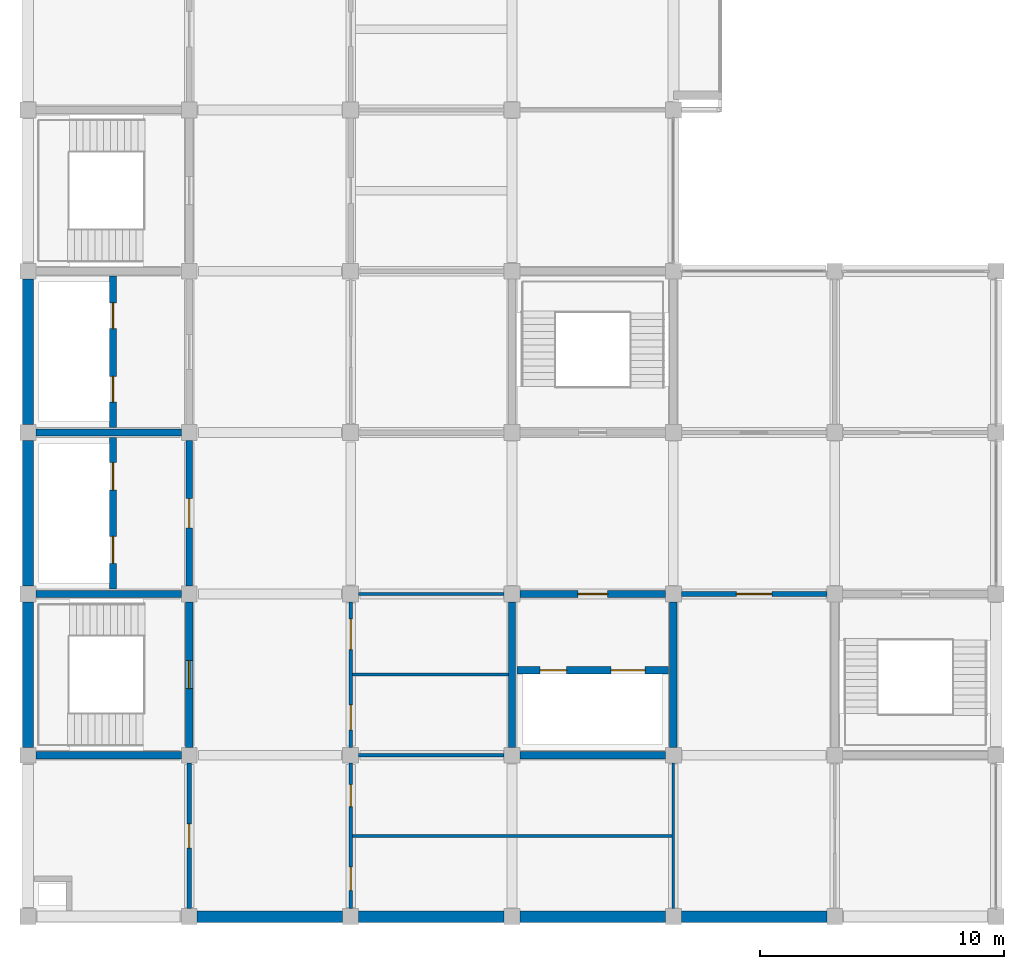
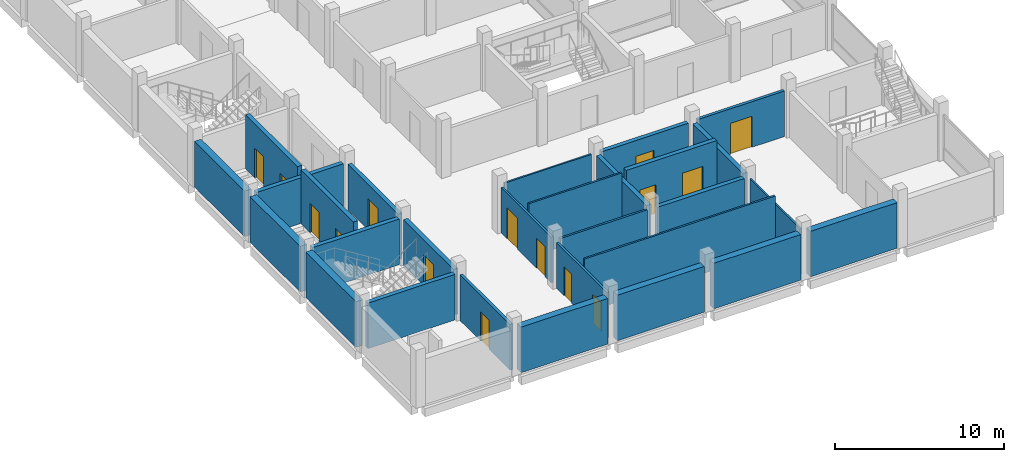
# One storey, part 7 of 10: 28 walls, 15 doors, 15 openings.
"""IFC4 building model written with IfcOpenShell, lengths in metres."""

from ifc_helpers import new_model, si_unit, direction, frame, frame_2d, origin, place, context, subcontext, project, spatial, rectangle, extrude, material, layer, layer_set, type_object, element, fill, save


model = new_model("IFC4")

# Units and contexts
model_context = context("Model", 3, precision=1e-05, world=origin(), true_north=direction((0.0, 1.0)))
body_context = subcontext(model_context, "Body", "Model", "MODEL_VIEW")
ifc_project = project(units=[si_unit("LENGTHUNIT", "METRE"), si_unit("AREAUNIT", "SQUARE_METRE"), si_unit("VOLUMEUNIT", "CUBIC_METRE"), si_unit("PLANEANGLEUNIT", "RADIAN"), si_unit("MASSUNIT", "GRAM", prefix="KILO")], contexts=[model_context])

# Site, building, storey
site_placement = place(None, origin())
site = spatial("IfcSite", under=ifc_project, at=site_placement, CompositionType="ELEMENT")
building_placement = place(site_placement, origin())
building = spatial("IfcBuilding", under=site, at=building_placement, Name="Rusizi Kubbe Research Institute", CompositionType="ELEMENT")
storey_placement = place(building_placement, frame((0.0, 0.0, 52.199951171875)))
storey = spatial("IfcBuildingStorey", under=building, at=storey_placement, Name="L12", CompositionType="ELEMENT", Elevation=52.199951171875)

# Walls
ifc_material_1 = material(Name="Concrete C40/50", Category="concrete")
ifc_layer_1 = layer(ifc_material_1, 0.294921875)
ifc_layer_set_1 = layer_set([ifc_layer_1], Name="Concrete C40/50")
wall_type_1 = type_object("IfcWallType", Name="CRW-03", PredefinedType="SHEAR", material=ifc_layer_set_1)
for number, where, z_axis, x_axis, name in (
    (1, (0.324951171875, 6.60009765625, 0.0), (0.0, 0.0, 1.0), (1.0, 0.0, 0.0), "Stair Core Shear Wall ST1 L12 S"),
    (2, (0.324951171875, 13.199951171875, 0.0), (0.0, 0.0, 1.0), (1.0, 0.0, 0.0), "Stair Core Shear Wall ST1 L12 N"),
):
    element("IfcWall", number, at=place(storey_placement, frame(where, z_axis=z_axis, x_axis=x_axis)), inside=storey, type_object=wall_type_1, Name=name, PredefinedType="SHEAR", context=body_context, shape_type="SweptSolid", body=[
        extrude(rectangle(XDim=5.949951171875, YDim=0.294921875, at=frame_2d((2.97509765625, 0.0))), origin(), (0.0, 0.0, 1.0), 3.300048828125),
    ])

# Wall, opening, door
wall_1_placement = place(storey_placement, frame((6.60009765625, 6.925048828125, 0.0), z_axis=(0.0, 0.0, 1.0), x_axis=(0.0, 1.0, 0.0)))
wall_1 = element("IfcWall", 3, at=wall_1_placement, inside=storey, type_object=wall_type_1, Name="Stair Core Shear Wall ST1 L12 E", PredefinedType="SHEAR", context=body_context, shape_type="SweptSolid", body=[
    extrude(rectangle(XDim=5.949951171875, YDim=0.294921875, at=frame_2d((2.97509765625, 0.0))), origin(), (0.0, 0.0, 1.0), 3.300048828125),
])
opening_1_placement = place(wall_1_placement, frame((2.39990234375, 0.0, 0.0)))
opening_1 = element("IfcOpeningElement", 4, at=opening_1_placement, cuts=wall_1, Name="Opening D-02", PredefinedType="OPENING", context=body_context, shape_type="SweptSolid", body=[
    extrude(rectangle(XDim=1.14990234375, YDim=2.199951171875, at=frame_2d((0.574951171875, 1.10009765625))), frame((0.0, 0.157470703125, 0.0), z_axis=(0.0, -1.0, 0.0), x_axis=(1.0, 0.0, 0.0)), (0.0, 0.0, 1.0), 0.31494140625),
])
ifc_material_2 = material(Name="Fire-Rated Steel Frame and Acoustic Timber Leaf", Category="wood")
door_type_1 = type_object("IfcDoorType", Name="ID-STAIR-115", OperationType="NOTDEFINED", PredefinedType="DOOR", material=ifc_material_2)
door_1_placement = place(opening_1_placement, origin())
door_1 = element("IfcDoor", 5, at=door_1_placement, inside=storey, type_object=door_type_1, Name="Exit Stair Door ST1 L12", OperationType="SINGLE_SWING_RIGHT", OverallHeight=2.199951171875, OverallWidth=1.14990234375, PredefinedType="DOOR", context=body_context, shape_type="SweptSolid", body=[
    extrude(rectangle(XDim=1.14990234375, YDim=2.199951171875, at=frame_2d((0.574951171875, 1.10009765625))), frame((0.0, 0.02490234375, 0.0), z_axis=(0.0, -1.0, 0.0), x_axis=(1.0, 0.0, 0.0)), (0.0, 0.0, 1.0), 0.050048828125),
])
fill(opening_1, door_1)

# Walls
for number, where, z_axis, x_axis, name in (
    (6, (0.324951171875, 19.800048828125, 0.0), (0.0, 0.0, 1.0), (1.0, 0.0, 0.0), "Lift Core Divider Wall (0,2-3) L12"),
    (7, (20.125, 6.60009765625, 0.0), (0.0, 0.0, 1.0), (1.0, 0.0, 0.0), "Lab Lift Core Wall S (3,1) L12"),
    (8, (19.800048828125, 6.925048828125, 0.0), (0.0, 0.0, 1.0), (0.0, 1.0, 0.0), "Lab Lift Core Wall W (3,1) L12"),
    (9, (26.39990234375, 6.925048828125, 0.0), (0.0, 0.0, 1.0), (0.0, 1.0, 0.0), "Lab Lift Core Wall E (3,1) L12"),
):
    element("IfcWall", number, at=place(storey_placement, frame(where, z_axis=z_axis, x_axis=x_axis)), inside=storey, type_object=wall_type_1, Name=name, PredefinedType="SHEAR", context=body_context, shape_type="SweptSolid", body=[
        extrude(rectangle(XDim=5.949951171875, YDim=0.294921875, at=frame_2d((2.97509765625, 0.0))), origin(), (0.0, 0.0, 1.0), 3.300048828125),
    ])

# Wall, openings, doors
wall_2_placement = place(storey_placement, frame((3.47998046875, 13.39990234375, 0.0), z_axis=(0.0, 0.0, 1.0), x_axis=(0.0, 1.0, 0.0)))
wall_2 = element("IfcWall", 10, at=wall_2_placement, inside=storey, type_object=wall_type_1, Name="Firefighting Lift Shaft Front Wall L12", PredefinedType="SHEAR", context=body_context, shape_type="SweptSolid", body=[
    extrude(rectangle(XDim=6.2001953125, YDim=0.294921875, at=frame_2d((3.10009765625, 0.0))), origin(), (0.0, 0.0, 1.0), 3.900146484375),
])
opening_2_placement = place(wall_2_placement, frame((1.050048828125, 0.0, 0.0)))
opening_2 = element("IfcOpeningElement", 11, at=opening_2_placement, cuts=wall_2, Name="Opening LD-01", PredefinedType="OPENING", context=body_context, shape_type="SweptSolid", body=[
    extrude(rectangle(XDim=1.10009765625, YDim=2.14990234375, at=frame_2d((0.550048828125, 1.074951171875))), frame((0.0, 0.157470703125, 0.0), z_axis=(0.0, -1.0, 0.0), x_axis=(1.0, 0.0, 0.0)), (0.0, 0.0, 1.0), 0.31494140625),
])
opening_3_placement = place(wall_2_placement, frame((4.050048828125, 0.0, 0.0)))
opening_3 = element("IfcOpeningElement", 12, at=opening_3_placement, cuts=wall_2, Name="Opening LD-02", PredefinedType="OPENING", context=body_context, shape_type="SweptSolid", body=[
    extrude(rectangle(XDim=1.1201171875, YDim=2.14990234375, at=frame_2d((0.56005859375, 1.074951171875))), frame((0.0, 0.157470703125, 0.0), z_axis=(0.0, -1.0, 0.0), x_axis=(1.0, 0.0, 0.0)), (0.0, 0.0, 1.0), 0.31494140625),
])
ifc_material_3 = material(Name="Brushed Stainless Steel Sliding Door", Category="steel")
door_type_2 = type_object("IfcDoorType", Name="LD-01", OperationType="DOUBLE_DOOR_SLIDING", PredefinedType="USERDEFINED", material=ifc_material_3)
door_2_placement = place(opening_2_placement, origin())
door_2 = element("IfcDoor", 13, at=door_2_placement, inside=storey, type_object=door_type_2, Name="Lift Landing Sliding Door FL1 L12", ObjectType="SLIDING DOOR", OperationType="DOUBLE_DOOR_SLIDING", OverallHeight=2.14990234375, OverallWidth=1.10009765625, PredefinedType="USERDEFINED", context=body_context, shape_type="SweptSolid", body=[
    extrude(rectangle(XDim=1.10009765625, YDim=2.14990234375, at=frame_2d((0.550048828125, 1.074951171875))), frame((0.0, 0.02490234375, 0.0), z_axis=(0.0, -1.0, 0.0), x_axis=(1.0, 0.0, 0.0)), (0.0, 0.0, 1.0), 0.050048828125),
])
fill(opening_2, door_2)
ifc_material_4 = material(Name="Brushed Stainless Steel Sliding Door", Category="steel")
door_type_3 = type_object("IfcDoorType", Name="LD-02", OperationType="DOUBLE_DOOR_SLIDING", PredefinedType="USERDEFINED", material=ifc_material_4)
door_3_placement = place(opening_3_placement, origin())
door_3 = element("IfcDoor", 14, at=door_3_placement, inside=storey, type_object=door_type_3, Name="Lift Landing Sliding Door FL2 L12", ObjectType="SLIDING DOOR", OperationType="DOUBLE_DOOR_SLIDING", OverallHeight=2.14990234375, OverallWidth=1.1201171875, PredefinedType="USERDEFINED", context=body_context, shape_type="SweptSolid", body=[
    extrude(rectangle(XDim=1.1201171875, YDim=2.14990234375, at=frame_2d((0.56005859375, 1.074951171875))), frame((0.0, 0.02490234375, 0.0), z_axis=(0.0, -1.0, 0.0), x_axis=(1.0, 0.0, 0.0)), (0.0, 0.0, 1.0), 0.050048828125),
])
fill(opening_3, door_3)

wall_3_placement = place(storey_placement, frame((3.47998046875, 20.0, 0.0), z_axis=(0.0, 0.0, 1.0), x_axis=(0.0, 1.0, 0.0)))
wall_3 = element("IfcWall", 15, at=wall_3_placement, inside=storey, type_object=wall_type_1, Name="Passenger Lift Shaft Front Wall L12", PredefinedType="SHEAR", context=body_context, shape_type="SweptSolid", body=[
    extrude(rectangle(XDim=6.199951171875, YDim=0.294921875, at=frame_2d((3.10009765625, 0.0))), origin(), (0.0, 0.0, 1.0), 3.900146484375),
])
opening_4_placement = place(wall_3_placement, frame((1.050048828125, 0.0, 0.0)))
opening_4 = element("IfcOpeningElement", 16, at=opening_4_placement, cuts=wall_3, Name="Opening LD-03", PredefinedType="OPENING", context=body_context, shape_type="SweptSolid", body=[
    extrude(rectangle(XDim=1.050048828125, YDim=2.14990234375, at=frame_2d((0.52490234375, 1.074951171875))), frame((0.0, 0.157470703125, 0.0), z_axis=(0.0, -1.0, 0.0), x_axis=(1.0, 0.0, 0.0)), (0.0, 0.0, 1.0), 0.31494140625),
])
opening_5_placement = place(wall_3_placement, frame((4.050048828125, 0.0, 0.0)))
opening_5 = element("IfcOpeningElement", 17, at=opening_5_placement, cuts=wall_3, Name="Opening LD-04", PredefinedType="OPENING", context=body_context, shape_type="SweptSolid", body=[
    extrude(rectangle(XDim=1.06005859375, YDim=2.14990234375, at=frame_2d((0.530029296875, 1.074951171875))), frame((0.0, 0.157470703125, 0.0), z_axis=(0.0, -1.0, 0.0), x_axis=(1.0, 0.0, 0.0)), (0.0, 0.0, 1.0), 0.31494140625),
])
ifc_material_5 = material(Name="Brushed Stainless Steel Sliding Door", Category="steel")
door_type_4 = type_object("IfcDoorType", Name="LD-03", OperationType="DOUBLE_DOOR_SLIDING", PredefinedType="USERDEFINED", material=ifc_material_5)
door_4_placement = place(opening_4_placement, origin())
door_4 = element("IfcDoor", 18, at=door_4_placement, inside=storey, type_object=door_type_4, Name="Lift Landing Sliding Door LP1 L12", ObjectType="SLIDING DOOR", OperationType="DOUBLE_DOOR_SLIDING", OverallHeight=2.14990234375, OverallWidth=1.050048828125, PredefinedType="USERDEFINED", context=body_context, shape_type="SweptSolid", body=[
    extrude(rectangle(XDim=1.050048828125, YDim=2.14990234375, at=frame_2d((0.52490234375, 1.074951171875))), frame((0.0, 0.02490234375, 0.0), z_axis=(0.0, -1.0, 0.0), x_axis=(1.0, 0.0, 0.0)), (0.0, 0.0, 1.0), 0.050048828125),
])
fill(opening_4, door_4)
ifc_material_6 = material(Name="Brushed Stainless Steel Sliding Door", Category="steel")
door_type_5 = type_object("IfcDoorType", Name="LD-04", OperationType="DOUBLE_DOOR_SLIDING", PredefinedType="USERDEFINED", material=ifc_material_6)
door_5_placement = place(opening_5_placement, origin())
door_5 = element("IfcDoor", 19, at=door_5_placement, inside=storey, type_object=door_type_5, Name="Lift Landing Sliding Door LP2 L12", ObjectType="SLIDING DOOR", OperationType="DOUBLE_DOOR_SLIDING", OverallHeight=2.14990234375, OverallWidth=1.06005859375, PredefinedType="USERDEFINED", context=body_context, shape_type="SweptSolid", body=[
    extrude(rectangle(XDim=1.06005859375, YDim=2.14990234375, at=frame_2d((0.530029296875, 1.074951171875))), frame((0.0, 0.02490234375, 0.0), z_axis=(0.0, -1.0, 0.0), x_axis=(1.0, 0.0, 0.0)), (0.0, 0.0, 1.0), 0.050048828125),
])
fill(opening_5, door_5)

wall_4_placement = place(storey_placement, frame((20.0, 10.080078125, 0.0), z_axis=(0.0, 0.0, 1.0), x_axis=(1.0, 0.0, 0.0)))
wall_4 = element("IfcWall", 20, at=wall_4_placement, inside=storey, type_object=wall_type_1, Name="Goods Lift Shaft Front Wall L12", PredefinedType="SHEAR", context=body_context, shape_type="SweptSolid", body=[
    extrude(rectangle(XDim=6.199951171875, YDim=0.294921875, at=frame_2d((3.10009765625, 0.0))), origin(), (0.0, 0.0, 1.0), 3.900146484375),
])
opening_6_placement = place(wall_4_placement, frame((0.949951171875, 0.0, 0.0)))
opening_6 = element("IfcOpeningElement", 21, at=opening_6_placement, cuts=wall_4, Name="Opening LD-05", PredefinedType="OPENING", context=body_context, shape_type="SweptSolid", body=[
    extrude(rectangle(XDim=1.080078125, YDim=2.14990234375, at=frame_2d((0.5400390625, 1.074951171875))), frame((0.0, 0.157470703125, 0.0), z_axis=(0.0, -1.0, 0.0), x_axis=(1.0, 0.0, 0.0)), (0.0, 0.0, 1.0), 0.31494140625),
])
opening_7_placement = place(wall_4_placement, frame((3.85009765625, 0.0, 0.0)))
opening_7 = element("IfcOpeningElement", 22, at=opening_7_placement, cuts=wall_4, Name="Opening LD-06", PredefinedType="OPENING", context=body_context, shape_type="SweptSolid", body=[
    extrude(rectangle(XDim=1.39990234375, YDim=2.35009765625, at=frame_2d((0.699951171875, 1.175048828125))), frame((0.0, 0.157470703125, 0.0), z_axis=(0.0, -1.0, 0.0), x_axis=(1.0, 0.0, 0.0)), (0.0, 0.0, 1.0), 0.31494140625),
])
ifc_material_7 = material(Name="Brushed Stainless Steel Sliding Door", Category="steel")
door_type_6 = type_object("IfcDoorType", Name="LD-05", OperationType="DOUBLE_DOOR_SLIDING", PredefinedType="USERDEFINED", material=ifc_material_7)
door_6_placement = place(opening_6_placement, origin())
door_6 = element("IfcDoor", 23, at=door_6_placement, inside=storey, type_object=door_type_6, Name="Lift Landing Sliding Door LP3 L12", ObjectType="SLIDING DOOR", OperationType="DOUBLE_DOOR_SLIDING", OverallHeight=2.14990234375, OverallWidth=1.080078125, PredefinedType="USERDEFINED", context=body_context, shape_type="SweptSolid", body=[
    extrude(rectangle(XDim=1.080078125, YDim=2.14990234375, at=frame_2d((0.5400390625, 1.074951171875))), frame((0.0, 0.02490234375, 0.0), z_axis=(0.0, -1.0, 0.0), x_axis=(1.0, 0.0, 0.0)), (0.0, 0.0, 1.0), 0.050048828125),
])
fill(opening_6, door_6)
ifc_material_8 = material(Name="Brushed Stainless Steel Sliding Door", Category="steel")
door_type_7 = type_object("IfcDoorType", Name="LD-06", OperationType="DOUBLE_DOOR_SLIDING", PredefinedType="USERDEFINED", material=ifc_material_8)
door_7_placement = place(opening_7_placement, origin())
door_7 = element("IfcDoor", 24, at=door_7_placement, inside=storey, type_object=door_type_7, Name="Lift Landing Sliding Door LG1 L12", ObjectType="SLIDING DOOR", OperationType="DOUBLE_DOOR_SLIDING", OverallHeight=2.35009765625, OverallWidth=1.39990234375, PredefinedType="USERDEFINED", context=body_context, shape_type="SweptSolid", body=[
    extrude(rectangle(XDim=1.39990234375, YDim=2.35009765625, at=frame_2d((0.699951171875, 1.175048828125))), frame((0.0, 0.02490234375, 0.0), z_axis=(0.0, -1.0, 0.0), x_axis=(1.0, 0.0, 0.0)), (0.0, 0.0, 1.0), 0.050048828125),
])
fill(opening_7, door_7)

# Wall, opening, door
ifc_material_9 = material(Name="Insulated Cleanroom Partition", Category="masonry")
ifc_layer_2 = layer(ifc_material_9, 0.195068359375)
ifc_layer_set_2 = layer_set([ifc_layer_2], Name="Insulated Cleanroom Partition")
wall_type_2 = type_object("IfcWallType", Name="IW-02", PredefinedType="PARTITIONING", material=ifc_layer_set_2)
wall_5_placement = place(storey_placement, frame((6.60009765625, 0.324951171875, 0.0), z_axis=(0.0, 0.0, 1.0), x_axis=(0.0, 1.0, 0.0)))
wall_5 = element("IfcWall", 25, at=wall_5_placement, inside=storey, type_object=wall_type_2, Name="Interior Partition Wall L12 V1-0", PredefinedType="PARTITIONING", context=body_context, shape_type="SweptSolid", body=[
    extrude(rectangle(XDim=5.949951171875, YDim=0.195068359375, at=frame_2d((2.97509765625, 0.0))), origin(), (0.0, 0.0, 1.0), 3.300048828125),
])
opening_8_placement = place(wall_5_placement, frame((2.47509765625, 0.0, 0.0)))
opening_8 = element("IfcOpeningElement", 26, at=opening_8_placement, cuts=wall_5, Name="Opening D-04", PredefinedType="OPENING", context=body_context, shape_type="SweptSolid", body=[
    extrude(rectangle(XDim=1.0, YDim=2.10009765625, at=frame_2d((0.5, 1.050048828125))), frame((0.0, 0.107421875, 0.0), z_axis=(0.0, -1.0, 0.0), x_axis=(1.0, 0.0, 0.0)), (0.0, 0.0, 1.0), 0.215087890625),
])
ifc_material_10 = material(Name="Fire-Rated Steel Frame and Acoustic Timber Leaf", Category="wood")
door_type_8 = type_object("IfcDoorType", Name="ID-MEP-100", OperationType="NOTDEFINED", PredefinedType="DOOR", material=ifc_material_10)
door_8_placement = place(opening_8_placement, origin())
door_8 = element("IfcDoor", 27, at=door_8_placement, inside=storey, type_object=door_type_8, Name="Door to Service Spine Utility Riser Room (L12-MEP-01)", OperationType="SINGLE_SWING_RIGHT", OverallHeight=2.10009765625, OverallWidth=1.0, PredefinedType="DOOR", context=body_context, shape_type="SweptSolid", body=[
    extrude(rectangle(XDim=1.0, YDim=2.10009765625, at=frame_2d((0.5, 1.050048828125))), frame((0.0, 0.02490234375, 0.0), z_axis=(0.0, -1.0, 0.0), x_axis=(1.0, 0.0, 0.0)), (0.0, 0.0, 1.0), 0.050048828125),
])
fill(opening_8, door_8)

wall_6_placement = place(storey_placement, frame((26.72509765625, 13.199951171875, 0.0), z_axis=(0.0, 0.0, 1.0), x_axis=(1.0, 0.0, 0.0)))
wall_6 = element("IfcWall", 28, at=wall_6_placement, inside=storey, type_object=wall_type_2, Name="Interior Partition Wall L12 H4-2", PredefinedType="PARTITIONING", context=body_context, shape_type="SweptSolid", body=[
    extrude(rectangle(XDim=5.949951171875, YDim=0.195068359375, at=frame_2d((2.97509765625, 0.0))), origin(), (0.0, 0.0, 1.0), 3.300048828125),
])
opening_9_placement = place(wall_6_placement, frame((2.25, 0.0, 0.0)))
opening_9 = element("IfcOpeningElement", 29, at=opening_9_placement, cuts=wall_6, Name="Opening D-11", PredefinedType="OPENING", context=body_context, shape_type="SweptSolid", body=[
    extrude(rectangle(XDim=1.449951171875, YDim=2.25, at=frame_2d((0.72509765625, 1.125))), frame((0.0, 0.107421875, 0.0), z_axis=(0.0, -1.0, 0.0), x_axis=(1.0, 0.0, 0.0)), (0.0, 0.0, 1.0), 0.215087890625),
])
ifc_material_11 = material(Name="Fire-Rated Steel Frame and Acoustic Timber Leaf", Category="wood")
door_type_9 = type_object("IfcDoorType", Name="ID-LAB-145", OperationType="NOTDEFINED", PredefinedType="DOOR", material=ifc_material_11)
door_9_placement = place(opening_9_placement, origin())
door_9 = element("IfcDoor", 30, at=door_9_placement, inside=storey, type_object=door_type_9, Name="Door to Catalysis Wet Laboratory (L12-EWS-01)", OperationType="SINGLE_SWING_LEFT", OverallHeight=2.25, OverallWidth=1.449951171875, PredefinedType="DOOR", context=body_context, shape_type="SweptSolid", body=[
    extrude(rectangle(XDim=1.449951171875, YDim=2.25, at=frame_2d((0.72509765625, 1.125))), frame((0.0, 0.02490234375, 0.0), z_axis=(0.0, -1.0, 0.0), x_axis=(1.0, 0.0, 0.0)), (0.0, 0.0, 1.0), 0.050048828125),
])
fill(opening_9, door_9)

# Wall, openings, doors
ifc_material_12 = material(Name="Fire-Rated Corridor Partition", Category="masonry")
ifc_layer_3 = layer(ifc_material_12, 0.155029296875)
ifc_layer_set_3 = layer_set([ifc_layer_3], Name="Fire-Rated Corridor Partition")
wall_type_3 = type_object("IfcWallType", Name="IW-04", PredefinedType="PARTITIONING", material=ifc_layer_set_3)
wall_7_placement = place(storey_placement, frame((13.199951171875, 0.324951171875, 0.0), z_axis=(0.0, 0.0, 1.0), x_axis=(0.0, 1.0, 0.0)))
wall_7 = element("IfcWall", 31, at=wall_7_placement, inside=storey, type_object=wall_type_3, Name="Sanitary Core West Corridor Wall L12", PredefinedType="PARTITIONING", context=body_context, shape_type="SweptSolid", body=[
    extrude(rectangle(XDim=5.949951171875, YDim=0.155029296875, at=frame_2d((2.97509765625, 0.0))), origin(), (0.0, 0.0, 1.0), 3.300048828125),
])
opening_10_placement = place(wall_7_placement, frame((0.75, 0.0, 0.0)))
opening_10 = element("IfcOpeningElement", 32, at=opening_10_placement, cuts=wall_7, Name="Opening D-06", PredefinedType="OPENING", context=body_context, shape_type="SweptSolid", body=[
    extrude(rectangle(XDim=0.949951171875, YDim=2.10009765625, at=frame_2d((0.47509765625, 1.050048828125))), frame((0.0, 0.08740234375, 0.0), z_axis=(0.0, -1.0, 0.0), x_axis=(1.0, 0.0, 0.0)), (0.0, 0.0, 1.0), 0.175048828125),
])
opening_11_placement = place(wall_7_placement, frame((4.175048828125, 0.0, 0.0)))
opening_11 = element("IfcOpeningElement", 33, at=opening_11_placement, cuts=wall_7, Name="Opening D-05", PredefinedType="OPENING", context=body_context, shape_type="SweptSolid", body=[
    extrude(rectangle(XDim=0.89990234375, YDim=2.10009765625, at=frame_2d((0.449951171875, 1.050048828125))), frame((0.0, 0.08740234375, 0.0), z_axis=(0.0, -1.0, 0.0), x_axis=(1.0, 0.0, 0.0)), (0.0, 0.0, 1.0), 0.175048828125),
])
ifc_material_13 = material(Name="Fire-Rated Steel Frame and Acoustic Timber Leaf", Category="wood")
door_type_10 = type_object("IfcDoorType", Name="ID-WC-900", OperationType="NOTDEFINED", PredefinedType="DOOR", material=ifc_material_13)
door_10_placement = place(opening_11_placement, origin())
door_10 = element("IfcDoor", 34, at=door_10_placement, inside=storey, type_object=door_type_10, Name="Door to Female Toilet Room (L12-WC-F)", OperationType="SINGLE_SWING_LEFT", OverallHeight=2.10009765625, OverallWidth=0.89990234375, PredefinedType="DOOR", context=body_context, shape_type="SweptSolid", body=[
    extrude(rectangle(XDim=0.89990234375, YDim=2.10009765625, at=frame_2d((0.449951171875, 1.050048828125))), frame((0.0, 0.02490234375, 0.0), z_axis=(0.0, -1.0, 0.0), x_axis=(1.0, 0.0, 0.0)), (0.0, 0.0, 1.0), 0.050048828125),
])
fill(opening_11, door_10)
ifc_material_14 = material(Name="Fire-Rated Steel Frame and Acoustic Timber Leaf", Category="wood")
door_type_11 = type_object("IfcDoorType", Name="ID-WC-950", OperationType="NOTDEFINED", PredefinedType="DOOR", material=ifc_material_14)
door_11_placement = place(opening_10_placement, origin())
door_11 = element("IfcDoor", 35, at=door_11_placement, inside=storey, type_object=door_type_11, Name="Door to Male Toilet Room (L12-WC-M)", OperationType="SINGLE_SWING_RIGHT", OverallHeight=2.10009765625, OverallWidth=0.949951171875, PredefinedType="DOOR", context=body_context, shape_type="SweptSolid", body=[
    extrude(rectangle(XDim=0.949951171875, YDim=2.10009765625, at=frame_2d((0.47509765625, 1.050048828125))), frame((0.0, 0.02490234375, 0.0), z_axis=(0.0, -1.0, 0.0), x_axis=(1.0, 0.0, 0.0)), (0.0, 0.0, 1.0), 0.050048828125),
])
fill(opening_10, door_11)

# Wall
ifc_material_15 = material(Name="Write-up Glazed Acoustic Partition", Category="masonry")
ifc_layer_4 = layer(ifc_material_15, 0.139892578125)
ifc_layer_set_4 = layer_set([ifc_layer_4], Name="Write-up Glazed Acoustic Partition")
wall_type_4 = type_object("IfcWallType", Name="IW-05", PredefinedType="PARTITIONING", material=ifc_layer_set_4)
wall_8_placement = place(storey_placement, frame((13.52490234375, 6.60009765625, 0.0), z_axis=(0.0, 0.0, 1.0), x_axis=(1.0, 0.0, 0.0)))
element("IfcWall", 36, at=wall_8_placement, inside=storey, type_object=wall_type_4, Name="Sanitary Core North Divider Wall L12", PredefinedType="PARTITIONING", context=body_context, shape_type="SweptSolid", body=[
    extrude(rectangle(XDim=5.9501953125, YDim=0.139892578125, at=frame_2d((2.97509765625, 0.0))), origin(), (0.0, 0.0, 1.0), 3.300048828125),
])

# Wall, openings, doors
wall_9_placement = place(storey_placement, frame((13.199951171875, 6.925048828125, 0.0), z_axis=(0.0, 0.0, 1.0), x_axis=(0.0, 1.0, 0.0)))
wall_9 = element("IfcWall", 37, at=wall_9_placement, inside=storey, type_object=wall_type_4, Name="Accessible WC and Store West Wall L12", PredefinedType="PARTITIONING", context=body_context, shape_type="SweptSolid", body=[
    extrude(rectangle(XDim=5.949951171875, YDim=0.139892578125, at=frame_2d((2.97509765625, 0.0))), origin(), (0.0, 0.0, 1.0), 3.300048828125),
])
opening_12_placement = place(wall_9_placement, frame((0.715087890625, 0.0, 0.0)))
opening_12 = element("IfcOpeningElement", 38, at=opening_12_placement, cuts=wall_9, Name="Opening D-07", PredefinedType="OPENING", context=body_context, shape_type="SweptSolid", body=[
    extrude(rectangle(XDim=1.02001953125, YDim=2.14990234375, at=frame_2d((0.510009765625, 1.074951171875))), frame((0.0, 0.079833984375, 0.0), z_axis=(0.0, -1.0, 0.0), x_axis=(1.0, 0.0, 0.0)), (0.0, 0.0, 1.0), 0.159912109375),
])
opening_13_placement = place(wall_9_placement, frame((4.0, 0.0, 0.0)))
opening_13 = element("IfcOpeningElement", 39, at=opening_13_placement, cuts=wall_9, Name="Opening D-15", PredefinedType="OPENING", context=body_context, shape_type="SweptSolid", body=[
    extrude(rectangle(XDim=1.25, YDim=2.25, at=frame_2d((0.625, 1.125))), frame((0.0, 0.079833984375, 0.0), z_axis=(0.0, -1.0, 0.0), x_axis=(1.0, 0.0, 0.0)), (0.0, 0.0, 1.0), 0.159912109375),
])
ifc_material_16 = material(Name="Fire-Rated Steel Frame and Acoustic Timber Leaf", Category="wood")
door_type_12 = type_object("IfcDoorType", Name="ID-LAB-125", OperationType="NOTDEFINED", PredefinedType="DOOR", material=ifc_material_16)
door_12_placement = place(opening_13_placement, origin())
door_12 = element("IfcDoor", 40, at=door_12_placement, inside=storey, type_object=door_type_12, Name="Door to Laboratory Reagent Store (L12-STR-01)", OperationType="SINGLE_SWING_LEFT", OverallHeight=2.25, OverallWidth=1.25, PredefinedType="DOOR", context=body_context, shape_type="SweptSolid", body=[
    extrude(rectangle(XDim=1.25, YDim=2.25, at=frame_2d((0.625, 1.125))), frame((0.0, 0.02490234375, 0.0), z_axis=(0.0, -1.0, 0.0), x_axis=(1.0, 0.0, 0.0)), (0.0, 0.0, 1.0), 0.050048828125),
])
fill(opening_13, door_12)
ifc_material_17 = material(Name="Fire-Rated Steel Frame and Acoustic Timber Leaf", Category="wood")
door_type_13 = type_object("IfcDoorType", Name="ID-WC-ACC", OperationType="NOTDEFINED", PredefinedType="DOOR", material=ifc_material_17)
door_13_placement = place(opening_12_placement, origin())
door_13 = element("IfcDoor", 41, at=door_13_placement, inside=storey, type_object=door_type_13, Name="Door to Accessible Toilet Room (L12-WC-ACC)", OperationType="SINGLE_SWING_LEFT", OverallHeight=2.14990234375, OverallWidth=1.02001953125, PredefinedType="DOOR", context=body_context, shape_type="SweptSolid", body=[
    extrude(rectangle(XDim=1.02001953125, YDim=2.14990234375, at=frame_2d((0.510009765625, 1.074951171875))), frame((0.0, 0.02490234375, 0.0), z_axis=(0.0, -1.0, 0.0), x_axis=(1.0, 0.0, 0.0)), (0.0, 0.0, 1.0), 0.050048828125),
])
fill(opening_12, door_13)

# Walls
ifc_material_18 = material(Name="Sanitary Wet-Wall Partition", Category="masonry")
ifc_layer_5 = layer(ifc_material_18, 0.125)
ifc_layer_set_5 = layer_set([ifc_layer_5], Name="Sanitary Wet-Wall Partition")
wall_type_5 = type_object("IfcWallType", Name="IW-06", PredefinedType="PARTITIONING", material=ifc_layer_set_5)
wall_10_placement = place(storey_placement, frame((13.282470703125, 3.300048828125, 0.0), z_axis=(0.0, 0.0, 1.0), x_axis=(1.0, 0.0, 0.0)))
element("IfcWall", 42, at=wall_10_placement, inside=storey, type_object=wall_type_5, Name="Sanitary Divider Wall L12-1", PredefinedType="PARTITIONING", context=body_context, shape_type="SweptSolid", body=[
    extrude(rectangle(XDim=13.0576171875, YDim=0.125, at=frame_2d((6.52880859375, 0.0))), origin(), (0.0, 0.0, 1.0), 3.900146484375),
])
wall_11_placement = place(storey_placement, frame((13.27490234375, 9.89990234375, 0.0), z_axis=(0.0, 0.0, 1.0), x_axis=(1.0, 0.0, 0.0)))
element("IfcWall", 43, at=wall_11_placement, inside=storey, type_object=wall_type_5, Name="Sanitary Divider Wall L12-2", PredefinedType="PARTITIONING", context=body_context, shape_type="SweptSolid", body=[
    extrude(rectangle(XDim=6.37255859375, YDim=0.125, at=frame_2d((3.186279296875, 0.0))), origin(), (0.0, 0.0, 1.0), 3.900146484375),
])
ifc_material_19 = material(Name="Sub-Suite Fire Partition", Category="masonry")
ifc_layer_6 = layer(ifc_material_19, 0.110107421875)
ifc_layer_set_6 = layer_set([ifc_layer_6], Name="Sub-Suite Fire Partition")
wall_type_6 = type_object("IfcWallType", Name="IW-07", PredefinedType="PARTITIONING", material=ifc_layer_set_6)
wall_12_placement = place(storey_placement, frame((26.39990234375, 0.324951171875, 0.0), z_axis=(0.0, 0.0, 1.0), x_axis=(0.0, 1.0, 0.0)))
element("IfcWall", 44, at=wall_12_placement, inside=storey, type_object=wall_type_6, Name="Sanitary Core East Enclosing Wall L12", PredefinedType="PARTITIONING", context=body_context, shape_type="SweptSolid", body=[
    extrude(rectangle(XDim=5.949951171875, YDim=0.110107421875, at=frame_2d((2.97509765625, 0.0))), origin(), (0.0, 0.0, 1.0), 3.300048828125),
])
wall_13_placement = place(storey_placement, frame((13.52490234375, 13.199951171875, 0.0), z_axis=(0.0, 0.0, 1.0), x_axis=(1.0, 0.0, 0.0)))
element("IfcWall", 45, at=wall_13_placement, inside=storey, type_object=wall_type_6, Name="Reagent Store North Corridor Wall L12", PredefinedType="PARTITIONING", context=body_context, shape_type="SweptSolid", body=[
    extrude(rectangle(XDim=5.9501953125, YDim=0.110107421875, at=frame_2d((2.97509765625, 0.0))), origin(), (0.0, 0.0, 1.0), 3.300048828125),
])
ifc_material_20 = material(Name="Concrete C40/50", Category="concrete")
ifc_layer_7 = layer(ifc_material_20, 0.4599609375)
ifc_layer_set_7 = layer_set([ifc_layer_7], Name="Concrete C40/50")
wall_type_7 = type_object("IfcWallType", Name="PW-02", PredefinedType="SOLIDWALL", material=ifc_layer_set_7)
wall_14_placement = place(storey_placement, frame((0.0, 6.925048828125, 0.0), z_axis=(0.0, 0.0, 1.0), x_axis=(0.0, 1.0, 0.0)))
element("IfcWall", 46, at=wall_14_placement, inside=storey, type_object=wall_type_7, Name="Blind Party Wall L12 V0-1", PredefinedType="SOLIDWALL", context=body_context, shape_type="SweptSolid", body=[
    extrude(rectangle(XDim=5.949951171875, YDim=0.4599609375, at=frame_2d((2.97509765625, 0.0))), origin(), (0.0, 0.0, 1.0), 3.300048828125),
])
wall_15_placement = place(storey_placement, frame((0.0, 13.52490234375, 0.0), z_axis=(0.0, 0.0, 1.0), x_axis=(0.0, 1.0, 0.0)))
element("IfcWall", 47, at=wall_15_placement, inside=storey, type_object=wall_type_7, Name="Blind Party Wall L12 V0-2", PredefinedType="SOLIDWALL", context=body_context, shape_type="SweptSolid", body=[
    extrude(rectangle(XDim=5.9501953125, YDim=0.4599609375, at=frame_2d((2.97509765625, 0.0))), origin(), (0.0, 0.0, 1.0), 3.300048828125),
])
for number, where, z_axis, x_axis, name in (
    (48, (0.0, 20.125, 0.0), (0.0, 0.0, 1.0), (0.0, 1.0, 0.0), "Blind Party Wall L12 V0-3"),
    (49, (6.925048828125, 0.0, 0.0), (0.0, 0.0, 1.0), (1.0, 0.0, 0.0), "Blind Party Wall L12 H1-0"),
):
    element("IfcWall", number, at=place(storey_placement, frame(where, z_axis=z_axis, x_axis=x_axis)), inside=storey, type_object=wall_type_7, Name=name, PredefinedType="SOLIDWALL", context=body_context, shape_type="SweptSolid", body=[
        extrude(rectangle(XDim=5.949951171875, YDim=0.4599609375, at=frame_2d((2.97509765625, 0.0))), origin(), (0.0, 0.0, 1.0), 3.300048828125),
    ])
wall_16_placement = place(storey_placement, frame((13.52490234375, 0.0, 0.0), z_axis=(0.0, 0.0, 1.0), x_axis=(1.0, 0.0, 0.0)))
element("IfcWall", 50, at=wall_16_placement, inside=storey, type_object=wall_type_7, Name="Blind Party Wall L12 H2-0", PredefinedType="SOLIDWALL", context=body_context, shape_type="SweptSolid", body=[
    extrude(rectangle(XDim=5.9501953125, YDim=0.4599609375, at=frame_2d((2.97509765625, 0.0))), origin(), (0.0, 0.0, 1.0), 3.300048828125),
])
for number, where, z_axis, x_axis, name in (
    (51, (20.125, 0.0, 0.0), (0.0, 0.0, 1.0), (1.0, 0.0, 0.0), "Blind Party Wall L12 H3-0"),
    (52, (26.72509765625, 0.0, 0.0), (0.0, 0.0, 1.0), (1.0, 0.0, 0.0), "Blind Party Wall L12 H4-0"),
):
    element("IfcWall", number, at=place(storey_placement, frame(where, z_axis=z_axis, x_axis=x_axis)), inside=storey, type_object=wall_type_7, Name=name, PredefinedType="SOLIDWALL", context=body_context, shape_type="SweptSolid", body=[
        extrude(rectangle(XDim=5.949951171875, YDim=0.4599609375, at=frame_2d((2.97509765625, 0.0))), origin(), (0.0, 0.0, 1.0), 3.300048828125),
    ])

# Wall, opening, door
ifc_material_21 = material(Name="Concrete C40/50", Category="concrete")
ifc_layer_8 = layer(ifc_material_21, 0.27490234375)
ifc_layer_set_8 = layer_set([ifc_layer_8], Name="Concrete C40/50")
wall_type_8 = type_object("IfcWallType", Name="SHW-01", PredefinedType="SHEAR", material=ifc_layer_set_8)
wall_17_placement = place(storey_placement, frame((6.60009765625, 13.52490234375, 0.0), z_axis=(0.0, 0.0, 1.0), x_axis=(0.0, 1.0, 0.0)))
wall_17 = element("IfcWall", 53, at=wall_17_placement, inside=storey, type_object=wall_type_8, Name="Firefighting Lobby Wall L12", PredefinedType="SHEAR", context=body_context, shape_type="SweptSolid", body=[
    extrude(rectangle(XDim=5.9501953125, YDim=0.27490234375, at=frame_2d((2.97509765625, 0.0))), origin(), (0.0, 0.0, 1.0), 3.300048828125),
])
opening_14_placement = place(wall_17_placement, frame((2.375, 0.0, 0.0)))
opening_14 = element("IfcOpeningElement", 54, at=opening_14_placement, cuts=wall_17, Name="Opening D-03", PredefinedType="OPENING", context=body_context, shape_type="SweptSolid", body=[
    extrude(rectangle(XDim=1.199951171875, YDim=2.25, at=frame_2d((0.60009765625, 1.125))), frame((0.0, 0.1474609375, 0.0), z_axis=(0.0, -1.0, 0.0), x_axis=(1.0, 0.0, 0.0)), (0.0, 0.0, 1.0), 0.294921875),
])
ifc_material_22 = material(Name="Fire-Rated Steel Frame and Acoustic Timber Leaf", Category="wood")
door_type_14 = type_object("IfcDoorType", Name="ID-FF-120", OperationType="NOTDEFINED", PredefinedType="DOOR", material=ifc_material_22)
door_14_placement = place(opening_14_placement, origin())
door_14 = element("IfcDoor", 55, at=door_14_placement, inside=storey, type_object=door_type_14, Name="Door to Firefighting Lift Lobby (L12-FFL-01)", OperationType="SINGLE_SWING_LEFT", OverallHeight=2.25, OverallWidth=1.199951171875, PredefinedType="DOOR", context=body_context, shape_type="SweptSolid", body=[
    extrude(rectangle(XDim=1.199951171875, YDim=2.25, at=frame_2d((0.60009765625, 1.125))), frame((0.0, 0.02490234375, 0.0), z_axis=(0.0, -1.0, 0.0), x_axis=(1.0, 0.0, 0.0)), (0.0, 0.0, 1.0), 0.050048828125),
])
fill(opening_14, door_14)

wall_18_placement = place(storey_placement, frame((20.125, 13.199951171875, 0.0), z_axis=(0.0, 0.0, 1.0), x_axis=(1.0, 0.0, 0.0)))
wall_18 = element("IfcWall", 56, at=wall_18_placement, inside=storey, type_object=wall_type_8, Name="Goods Lift Lobby Wall L12", PredefinedType="SHEAR", context=body_context, shape_type="SweptSolid", body=[
    extrude(rectangle(XDim=5.949951171875, YDim=0.27490234375, at=frame_2d((2.97509765625, 0.0))), origin(), (0.0, 0.0, 1.0), 3.300048828125),
])
opening_15_placement = place(wall_18_placement, frame((2.364990234375, 0.0, 0.0)))
opening_15 = element("IfcOpeningElement", 57, at=opening_15_placement, cuts=wall_18, Name="Opening D-21", PredefinedType="OPENING", context=body_context, shape_type="SweptSolid", body=[
    extrude(rectangle(XDim=1.219970703125, YDim=2.14990234375, at=frame_2d((0.60986328125, 1.074951171875))), frame((0.0, 0.1474609375, 0.0), z_axis=(0.0, -1.0, 0.0), x_axis=(1.0, 0.0, 0.0)), (0.0, 0.0, 1.0), 0.294921875),
])
ifc_material_23 = material(Name="Fire-Rated Steel Frame and Acoustic Timber Leaf", Category="wood")
door_type_15 = type_object("IfcDoorType", Name="ID-STR-122", OperationType="NOTDEFINED", PredefinedType="DOOR", material=ifc_material_23)
door_15_placement = place(opening_15_placement, origin())
door_15 = element("IfcDoor", 58, at=door_15_placement, inside=storey, type_object=door_type_15, Name="Door to Laboratory Goods Lift Lobby (L12-GLB-01)", OperationType="SINGLE_SWING_RIGHT", OverallHeight=2.14990234375, OverallWidth=1.219970703125, PredefinedType="DOOR", context=body_context, shape_type="SweptSolid", body=[
    extrude(rectangle(XDim=1.219970703125, YDim=2.14990234375, at=frame_2d((0.60986328125, 1.074951171875))), frame((0.0, 0.02490234375, 0.0), z_axis=(0.0, -1.0, 0.0), x_axis=(1.0, 0.0, 0.0)), (0.0, 0.0, 1.0), 0.050048828125),
])
fill(opening_15, door_15)

save(model, "model.ifc")
